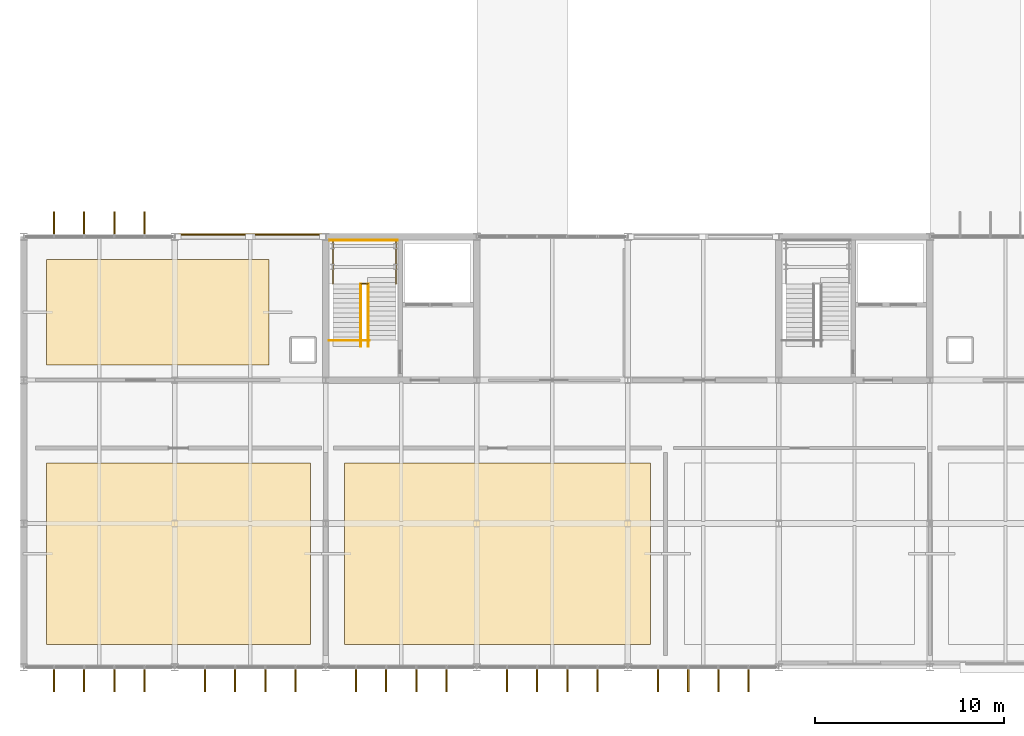
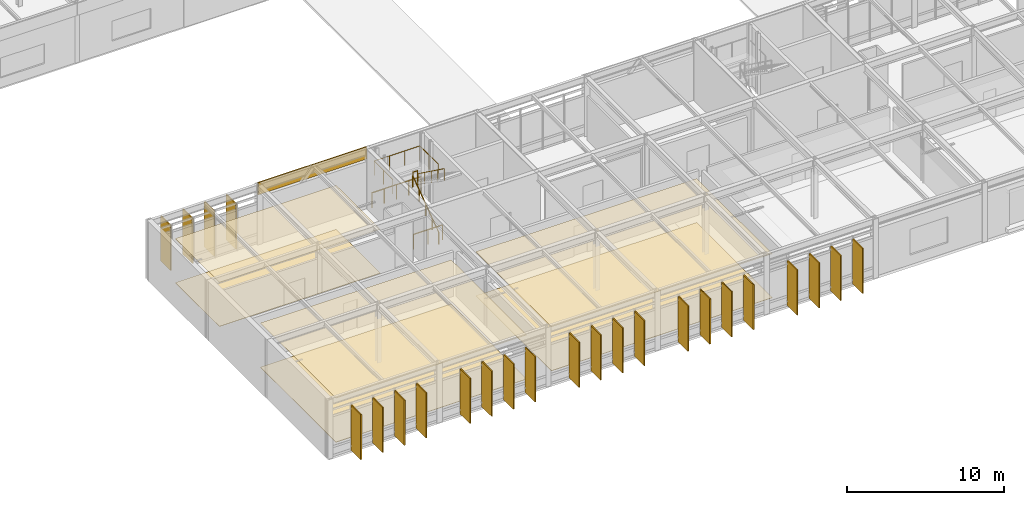
# One storey, part 94 of 100: 24 shading devices, 7 coverings, 6 railings.
"""IFC4 building model written with IfcOpenShell, lengths in metres."""

from ifc_helpers import new_model, si_unit, direction, frame, origin, origin_2d, place, context, subcontext, project, spatial, polyline, rectangle, circle, outline, extrude, material, layer, layer_set, type_object, element, save


model = new_model("IFC4")

# Units and contexts
model_context = context("Model", 3, precision=1e-05, world=origin(), true_north=direction((0.0, 1.0)))
body_context = subcontext(model_context, "Body", "Model", "MODEL_VIEW")
ifc_project = project(units=[si_unit("LENGTHUNIT", "METRE"), si_unit("AREAUNIT", "SQUARE_METRE"), si_unit("VOLUMEUNIT", "CUBIC_METRE"), si_unit("PLANEANGLEUNIT", "RADIAN"), si_unit("MASSUNIT", "GRAM", prefix="KILO")], contexts=[model_context])

# Site, building, storey
site_placement = place(None, origin())
site = spatial("IfcSite", under=ifc_project, at=site_placement, CompositionType="ELEMENT")
building_placement = place(site_placement, origin())
building = spatial("IfcBuilding", under=site, at=building_placement, Name="Zulena Civic Courthouse", CompositionType="ELEMENT")
storey_placement = place(building_placement, frame((0.0, 0.0, 20.39990234375)))
storey = spatial("IfcBuildingStorey", under=building, at=storey_placement, Name="L04", CompositionType="ELEMENT", Elevation=20.39990234375)

# Coverings
ifc_material_1 = material(Name="Perforated acoustic mineral-fibre ceiling tile", Category="concrete")
ifc_layer_1 = layer(ifc_material_1, 0.02490234375)
ifc_layer_set_1 = layer_set([ifc_layer_1], Name="Perforated acoustic mineral-fibre ceiling tile")
covering_type_1 = type_object("IfcCoveringType", Name="AcousticCeiling_25", PredefinedType="CEILING", material=ifc_layer_set_1)
covering_1_placement = place(storey_placement, frame((0.0, 0.0, 3.420166015625)))
element("IfcCovering", 1, at=covering_1_placement, inside=storey, type_object=covering_type_1, Name="ceil:L04:323", PredefinedType="CEILING", context=body_context, shape_type="SweptSolid", body=[
    extrude(outline(polyline([(5.199951171875, 1.199951171875), (19.199951171875, 1.199951171875), (19.199951171875, 10.800048828125), (5.199951171875, 10.800048828125), (5.199951171875, 1.199951171875)])), origin(), (0.0, 0.0, 1.0), 0.02490234375),
])
covering_2_placement = place(storey_placement, frame((0.0, 0.0, 3.420166015625)))
element("IfcCovering", 2, at=covering_2_placement, inside=storey, type_object=covering_type_1, Name="ceil:L04:324", PredefinedType="CEILING", context=body_context, shape_type="SweptSolid", body=[
    extrude(outline(polyline([(21.0, 1.199951171875), (37.199951171875, 1.199951171875), (37.199951171875, 10.800048828125), (21.0, 10.800048828125), (21.0, 1.199951171875)])), origin(), (0.0, 0.0, 1.0), 0.02490234375),
])
covering_3_placement = place(storey_placement, frame((0.0, 0.0, 3.420166015625)))
element("IfcCovering", 3, at=covering_3_placement, inside=storey, type_object=covering_type_1, Name="ceil:L04:327", PredefinedType="CEILING", context=body_context, shape_type="SweptSolid", body=[
    extrude(outline(polyline([(5.199951171875, 16.0), (17.0, 16.0), (17.0, 21.60009765625), (5.199951171875, 21.60009765625), (5.199951171875, 16.0)])), origin(), (0.0, 0.0, 1.0), 0.02490234375),
])

# Shading devices
ifc_material_2 = material(Name="Gold anodised architectural aluminium AA6063-T6", Category="aluminium")
shading_device_type = type_object("IfcShadingDeviceType", Name="GoldSolarFin_350", PredefinedType="USERDEFINED", material=ifc_material_2)
for number, where, z_axis, x_axis, name in (
    (4, (5.607177734375, 23.485107421875, 0.050048828125), (0.0, 0.0, 1.0), (0.0, 1.0, 0.0), "fin:V2:L04:1:0:1"),
    (5, (7.202392578125, 23.485107421875, 0.050048828125), (0.0, 0.0, 1.0), (0.0, 1.0, 0.0), "fin:V2:L04:1:0:2"),
    (6, (8.797607421875, 23.485107421875, 0.050048828125), (0.0, 0.0, 1.0), (0.0, 1.0, 0.0), "fin:V2:L04:1:0:3"),
    (7, (10.392822265625, 23.485107421875, 0.050048828125), (0.0, 0.0, 1.0), (0.0, 1.0, 0.0), "fin:V2:L04:1:0:4"),
    (8, (42.392822265625, -0.68505859375, 0.050048828125), (0.0, 0.0, 1.0), (0.0, -1.0, 0.0), "fin:V2:L04:3:3:1"),
    (9, (40.797607421875, -0.68505859375, 0.050048828125), (0.0, 0.0, 1.0), (0.0, -1.0, 0.0), "fin:V2:L04:3:3:2"),
    (10, (39.202392578125, -0.68505859375, 0.050048828125), (0.0, 0.0, 1.0), (0.0, -1.0, 0.0), "fin:V2:L04:3:3:3"),
    (11, (37.607177734375, -0.68505859375, 0.050048828125), (0.0, 0.0, 1.0), (0.0, -1.0, 0.0), "fin:V2:L04:3:3:4"),
    (12, (34.392822265625, -0.68505859375, 0.050048828125), (0.0, 0.0, 1.0), (0.0, -1.0, 0.0), "fin:V2:L04:3:4:1"),
    (13, (32.797607421875, -0.68505859375, 0.050048828125), (0.0, 0.0, 1.0), (0.0, -1.0, 0.0), "fin:V2:L04:3:4:2"),
    (14, (31.202392578125, -0.68505859375, 0.050048828125), (0.0, 0.0, 1.0), (0.0, -1.0, 0.0), "fin:V2:L04:3:4:3"),
    (15, (29.607177734375, -0.68505859375, 0.050048828125), (0.0, 0.0, 1.0), (0.0, -1.0, 0.0), "fin:V2:L04:3:4:4"),
    (16, (26.392822265625, -0.68505859375, 0.050048828125), (0.0, 0.0, 1.0), (0.0, -1.0, 0.0), "fin:V2:L04:3:5:1"),
    (17, (24.797607421875, -0.68505859375, 0.050048828125), (0.0, 0.0, 1.0), (0.0, -1.0, 0.0), "fin:V2:L04:3:5:2"),
    (18, (23.202392578125, -0.68505859375, 0.050048828125), (0.0, 0.0, 1.0), (0.0, -1.0, 0.0), "fin:V2:L04:3:5:3"),
    (19, (21.607177734375, -0.68505859375, 0.050048828125), (0.0, 0.0, 1.0), (0.0, -1.0, 0.0), "fin:V2:L04:3:5:4"),
    (20, (18.392822265625, -0.68505859375, 0.050048828125), (0.0, 0.0, 1.0), (0.0, -1.0, 0.0), "fin:V2:L04:3:6:1"),
    (21, (16.797607421875, -0.68505859375, 0.050048828125), (0.0, 0.0, 1.0), (0.0, -1.0, 0.0), "fin:V2:L04:3:6:2"),
    (22, (15.202392578125, -0.68505859375, 0.050048828125), (0.0, 0.0, 1.0), (0.0, -1.0, 0.0), "fin:V2:L04:3:6:3"),
    (23, (13.607177734375, -0.68505859375, 0.050048828125), (0.0, 0.0, 1.0), (0.0, -1.0, 0.0), "fin:V2:L04:3:6:4"),
    (24, (10.392822265625, -0.68505859375, 0.050048828125), (0.0, 0.0, 1.0), (0.0, -1.0, 0.0), "fin:V2:L04:3:7:1"),
    (25, (8.797607421875, -0.68505859375, 0.050048828125), (0.0, 0.0, 1.0), (0.0, -1.0, 0.0), "fin:V2:L04:3:7:2"),
    (26, (7.202392578125, -0.68505859375, 0.050048828125), (0.0, 0.0, 1.0), (0.0, -1.0, 0.0), "fin:V2:L04:3:7:3"),
    (27, (5.607177734375, -0.68505859375, 0.050048828125), (0.0, 0.0, 1.0), (0.0, -1.0, 0.0), "fin:V2:L04:3:7:4"),
):
    element("IfcShadingDevice", number, at=place(storey_placement, frame(where, z_axis=z_axis, x_axis=x_axis)), inside=storey, type_object=shading_device_type, Name=name, ObjectType="FIN", PredefinedType="USERDEFINED", context=body_context, shape_type="SweptSolid", body=[
        extrude(rectangle(XDim=1.25, YDim=0.080078125, at=origin_2d()), origin(), (0.0, 0.0, 1.0), 3.5),
    ])

# Railings
ifc_material_3 = material(Name="Brushed architectural steel ASTM A36", Category="steel")
railing_type_1 = type_object("IfcRailingType", Name="InteriorGuardrail_1150", PredefinedType="GUARDRAIL", material=ifc_material_3)
railing_1_placement = place(storey_placement, frame((20.199951171875, 22.610107421875, 0.0)))
element("IfcRailing", 28, at=railing_1_placement, inside=storey, type_object=railing_type_1, Name="gr:wellN:K2A:L03", PredefinedType="GUARDRAIL", context=body_context, shape_type="SweptSolid", body=[
    extrude(circle(Radius=0.02392578125, at=origin_2d()), frame((0.00390625, 0.0, 1.1259765625), z_axis=(1.0, 0.0, 0.0), x_axis=(0.0, 1.0, 0.0)), (0.0, 0.0, 1.0), 3.592041015625),
    extrude(circle(Radius=0.02099609375, at=origin_2d()), origin(), (0.0, 0.0, 1.0), 1.097900390625),
    extrude(circle(Radius=0.02099609375, at=origin_2d()), frame((0.89990234375, 0.0, 0.0)), (0.0, 0.0, 1.0), 1.097900390625),
    extrude(circle(Radius=0.02099609375, at=origin_2d()), frame((1.800048828125, 0.0, 0.0)), (0.0, 0.0, 1.0), 1.097900390625),
    extrude(circle(Radius=0.02099609375, at=origin_2d()), frame((2.7001953125, 0.0, 0.0)), (0.0, 0.0, 1.0), 1.097900390625),
    extrude(circle(Radius=0.02099609375, at=origin_2d()), frame((3.60009765625, 0.0, 0.0)), (0.0, 0.0, 1.0), 1.097900390625),
])
railing_2_placement = place(storey_placement, frame((20.179931640625, 17.300048828125, 0.0)))
element("IfcRailing", 29, at=railing_2_placement, inside=storey, type_object=railing_type_1, Name="gr:wells:K2A:L04", PredefinedType="GUARDRAIL", context=body_context, shape_type="SweptSolid", body=[
    extrude(circle(Radius=0.02392578125, at=origin_2d()), frame((0.00390625, 0.0, 1.1259765625), z_axis=(1.0, 0.0, 0.0), x_axis=(0.0, 1.0, 0.0)), (0.0, 0.0, 1.0), 2.112060546875),
    extrude(circle(Radius=0.02099609375, at=origin_2d()), origin(), (0.0, 0.0, 1.0), 1.097900390625),
    extrude(circle(Radius=0.02099609375, at=origin_2d()), frame((1.06005859375, 0.0, 0.0)), (0.0, 0.0, 1.0), 1.097900390625),
    extrude(circle(Radius=0.02099609375, at=origin_2d()), frame((2.1201171875, 0.0, 0.0)), (0.0, 0.0, 1.0), 1.097900390625),
])
railing_3_placement = place(storey_placement, frame((20.3798828125, 20.294677734375, 2.400146484375)))
element("IfcRailing", 30, at=railing_3_placement, inside=storey, type_object=railing_type_1, Name="gr:lnd:K2A:L04", PredefinedType="GUARDRAIL", context=body_context, shape_type="SweptSolid", body=[
    extrude(circle(Radius=0.02392578125, at=origin_2d()), frame((0.0, 0.00390625, 1.1259765625), z_axis=(0.0, 1.0, 0.0), x_axis=(-1.0, 0.0, 0.0)), (0.0, 0.0, 1.0), 2.3173828125),
    extrude(circle(Radius=0.02392578125, at=origin_2d()), frame((0.00390625, 2.325439453125, 1.1259765625), z_axis=(1.0, 0.0, 0.0), x_axis=(0.0, 1.0, 0.0)), (0.0, 0.0, 1.0), 3.33203125),
    extrude(circle(Radius=0.02392578125, at=origin_2d()), frame((3.340087890625, 2.321533203125, 1.1259765625), z_axis=(0.0, -1.0, 0.0), x_axis=(1.0, 0.0, 0.0)), (0.0, 0.0, 1.0), 2.3173828125),
    extrude(circle(Radius=0.02099609375, at=origin_2d()), origin(), (0.0, 0.0, 1.0), 1.097900390625),
    extrude(circle(Radius=0.02099609375, at=origin_2d()), frame((0.0, 1.16259765625, 0.0)), (0.0, 0.0, 1.0), 1.097900390625),
    extrude(circle(Radius=0.02099609375, at=origin_2d()), frame((0.0, 2.325439453125, 0.0)), (0.0, 0.0, 1.0), 1.097900390625),
    extrude(circle(Radius=0.02099609375, at=origin_2d()), frame((1.11328125, 2.325439453125, 0.0)), (0.0, 0.0, 1.0), 1.097900390625),
    extrude(circle(Radius=0.02099609375, at=origin_2d()), frame((2.226806640625, 2.325439453125, 0.0)), (0.0, 0.0, 1.0), 1.097900390625),
    extrude(circle(Radius=0.02099609375, at=origin_2d()), frame((3.340087890625, 2.325439453125, 0.0)), (0.0, 0.0, 1.0), 1.097900390625),
    extrude(circle(Radius=0.02099609375, at=origin_2d()), frame((3.340087890625, 1.16259765625, 0.0)), (0.0, 0.0, 1.0), 1.097900390625),
    extrude(circle(Radius=0.02099609375, at=origin_2d()), frame((3.340087890625, 0.0, 0.0)), (0.0, 0.0, 1.0), 1.097900390625),
])
railing_4_placement = place(storey_placement, frame((21.8798828125, 20.31494140625, 2.400146484375)))
element("IfcRailing", 31, at=railing_4_placement, inside=storey, type_object=railing_type_1, Name="gr:lndslot:K2A:L04", PredefinedType="GUARDRAIL", context=body_context, shape_type="SweptSolid", body=[
    extrude(circle(Radius=0.02392578125, at=origin_2d()), frame((0.00390625, 0.0, 1.1259765625), z_axis=(1.0, 0.0, 0.0), x_axis=(0.0, 1.0, 0.0)), (0.0, 0.0, 1.0), 0.33203125),
    extrude(circle(Radius=0.02099609375, at=origin_2d()), origin(), (0.0, 0.0, 1.0), 1.097900390625),
    extrude(circle(Radius=0.02099609375, at=origin_2d()), frame((0.340087890625, 0.0, 0.0)), (0.0, 0.0, 1.0), 1.097900390625),
])

# Covering
ifc_material_4 = material(Name="White architectural precast concrete C40/50", Category="concrete")
ifc_layer_2 = layer(ifc_material_4, 0.0849609375)
ifc_layer_set_2 = layer_set([ifc_layer_2], Name="White architectural precast concrete C40/50")
covering_type_2 = type_object("IfcCoveringType", Name="PrecastSpandrelCladding_85", PredefinedType="CLADDING", material=ifc_layer_set_2)
covering_4_placement = place(storey_placement, frame((16.0, 22.919921875, 3.66015625), z_axis=(0.0, 0.0, 1.0), x_axis=(1.0, 0.0, 0.0)))
element("IfcCovering", 32, at=covering_4_placement, inside=storey, type_object=covering_type_2, Name="clad:sp:V2:L04:1:1", PredefinedType="CLADDING", context=body_context, shape_type="SweptSolid", body=[
    extrude(rectangle(XDim=7.9599609375, YDim=0.0849609375, at=origin_2d()), origin(), (0.0, 0.0, 1.0), 0.93994140625),
])

# Railings
railing_type_2 = type_object("IfcRailingType", Name="StairHandrail_920", PredefinedType="HANDRAIL", material=ifc_material_3)
railing_5_placement = place(storey_placement, frame((21.85009765625, 16.97998046875, 0.0)))
element("IfcRailing", 33, at=railing_5_placement, inside=storey, type_object=railing_type_2, Name="hr:K2A:L04:1", PredefinedType="HANDRAIL", context=body_context, shape_type="SweptSolid", body=[
    extrude(circle(Radius=0.02392578125, at=origin_2d()), frame((0.0, 0.003173828125, 0.898193359375), z_axis=(0.0, 0.809959711079, 0.586485521074), x_axis=(-1.0, 0.0, 0.0)), (0.0, 0.0, 1.0), 4.08447265625),
    extrude(circle(Radius=0.02099609375, at=origin_2d()), origin(), (0.0, 0.0, 1.0), 0.867919921875),
    extrude(circle(Radius=0.02099609375, at=origin_2d()), frame((0.0, 0.82861328125, 0.60009765625)), (0.0, 0.0, 1.0), 0.867919921875),
    extrude(circle(Radius=0.02099609375, at=origin_2d()), frame((0.0, 1.6572265625, 1.2001953125)), (0.0, 0.0, 1.0), 0.867919921875),
    extrude(circle(Radius=0.02099609375, at=origin_2d()), frame((0.0, 2.486083984375, 1.800048828125)), (0.0, 0.0, 1.0), 0.867919921875),
    extrude(circle(Radius=0.02099609375, at=origin_2d()), frame((0.0, 3.314697265625, 2.400146484375)), (0.0, 0.0, 1.0), 0.867919921875),
])
railing_6_placement = place(storey_placement, frame((22.25, 20.294677734375, 2.400146484375)))
element("IfcRailing", 34, at=railing_6_placement, inside=storey, type_object=railing_type_2, Name="hr:K2A:L04:2", PredefinedType="HANDRAIL", context=body_context, shape_type="SweptSolid", body=[
    extrude(circle(Radius=0.02392578125, at=origin_2d()), frame((0.0, -0.003173828125, 0.898193359375), z_axis=(0.0, -0.80998804985, 0.586446382119), x_axis=(1.0, 0.0, 0.0)), (0.0, 0.0, 1.0), 4.084228515625),
    extrude(circle(Radius=0.02099609375, at=origin_2d()), origin(), (0.0, 0.0, 1.0), 0.867919921875),
    extrude(circle(Radius=0.02099609375, at=origin_2d()), frame((0.0, -0.82861328125, 0.60009765625)), (0.0, 0.0, 1.0), 0.867919921875),
    extrude(circle(Radius=0.02099609375, at=origin_2d()), frame((0.0, -1.6572265625, 1.199951171875)), (0.0, 0.0, 1.0), 0.867919921875),
    extrude(circle(Radius=0.02099609375, at=origin_2d()), frame((0.0, -2.486083984375, 1.7998046875)), (0.0, 0.0, 1.0), 0.867919921875),
    extrude(circle(Radius=0.02099609375, at=origin_2d()), frame((0.0, -3.314697265625, 2.39990234375)), (0.0, 0.0, 1.0), 0.867919921875),
])

# Coverings
ifc_material_5 = material(Name="Honed travertine stone flooring", Category="masonry")
ifc_layer_3 = layer(ifc_material_5, 0.030029296875)
ifc_layer_set_3 = layer_set([ifc_layer_3], Name="Honed travertine stone flooring")
covering_type_3 = type_object("IfcCoveringType", Name="TravertineFlooring_30", PredefinedType="FLOORING", material=ifc_layer_set_3)
covering_5_placement = place(storey_placement, origin())
element("IfcCovering", 35, at=covering_5_placement, inside=storey, type_object=covering_type_3, Name="floor:L04:323", PredefinedType="FLOORING", context=body_context, shape_type="SweptSolid", body=[
    extrude(outline(polyline([(5.199951171875, 1.199951171875), (19.199951171875, 1.199951171875), (19.199951171875, 10.800048828125), (5.199951171875, 10.800048828125), (5.199951171875, 1.199951171875)])), origin(), (0.0, 0.0, 1.0), 0.030029296875),
])
covering_6_placement = place(storey_placement, origin())
element("IfcCovering", 36, at=covering_6_placement, inside=storey, type_object=covering_type_3, Name="floor:L04:324", PredefinedType="FLOORING", context=body_context, shape_type="SweptSolid", body=[
    extrude(outline(polyline([(21.0, 1.199951171875), (37.199951171875, 1.199951171875), (37.199951171875, 10.800048828125), (21.0, 10.800048828125), (21.0, 1.199951171875)])), origin(), (0.0, 0.0, 1.0), 0.030029296875),
])
covering_7_placement = place(storey_placement, origin())
element("IfcCovering", 37, at=covering_7_placement, inside=storey, type_object=covering_type_3, Name="floor:L04:327", PredefinedType="FLOORING", context=body_context, shape_type="SweptSolid", body=[
    extrude(outline(polyline([(5.199951171875, 16.0), (17.0, 16.0), (17.0, 21.60009765625), (5.199951171875, 21.60009765625), (5.199951171875, 16.0)])), origin(), (0.0, 0.0, 1.0), 0.030029296875),
])

save(model, "model.ifc")
